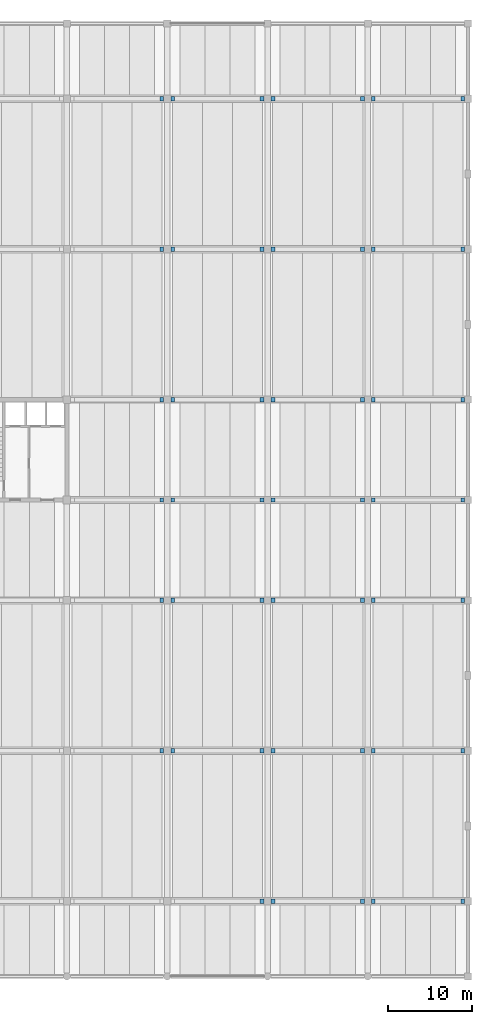
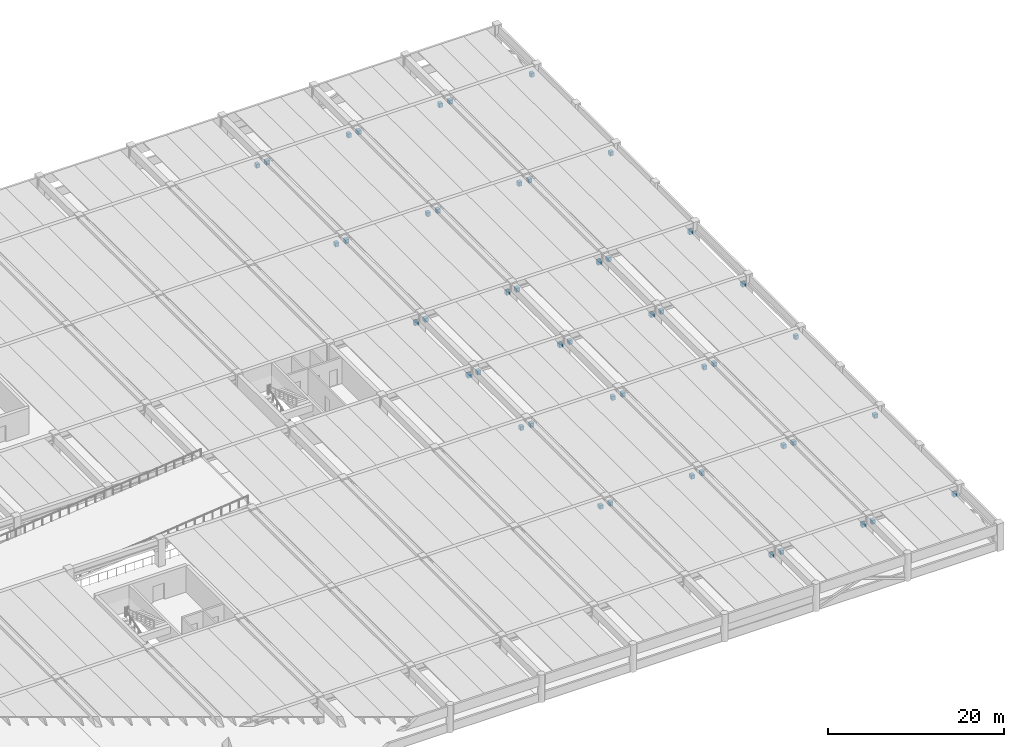
# One storey, part 14 of 19: 47 discrete accessories.
"""IFC4 building model written with IfcOpenShell, lengths in metres."""

from ifc_helpers import new_model, si_unit, direction, frame, origin, origin_2d, place, context, subcontext, project, spatial, rectangle, extrude, material, type_object, element, save


model = new_model("IFC4")

# Units and contexts
model_context = context("Model", 3, precision=1e-05, world=origin(), true_north=direction((0.0, 1.0)))
body_context = subcontext(model_context, "Body", "Model", "MODEL_VIEW")
ifc_project = project(units=[si_unit("LENGTHUNIT", "METRE"), si_unit("AREAUNIT", "SQUARE_METRE"), si_unit("VOLUMEUNIT", "CUBIC_METRE"), si_unit("PLANEANGLEUNIT", "RADIAN"), si_unit("MASSUNIT", "GRAM", prefix="KILO")], contexts=[model_context])

# Site, building, storey
site_placement = place(None, origin())
site = spatial("IfcSite", under=ifc_project, at=site_placement, CompositionType="ELEMENT")
building_placement = place(site_placement, origin())
building = spatial("IfcBuilding", under=site, at=building_placement, Name="Girod Span Mobility Hub", CompositionType="ELEMENT")
storey_placement = place(building_placement, frame((0.0, 0.0, 13.39990234375)))
storey = spatial("IfcBuildingStorey", under=building, at=storey_placement, Name="L03", CompositionType="ELEMENT", Elevation=13.39990234375)

# Discrete accessories
ifc_material = material(Name="Concrete C40/50", Category="concrete")
discrete_accessory_type = type_object("IfcDiscreteAccessoryType", Name="ACC-CORBEL-550", PredefinedType="BRACKET", material=ifc_material)
for number, where, z_axis, x_axis, name in (
    (1, (143.35205078125, 9.0, 2.1171875), (0.0, 0.0, 1.0), (1.0, 0.0, 0.0), "Precast Corbel 12/B-R L03"),
    (2, (144.64794921875, 9.0, 2.1171875), (0.0, 0.0, 1.0), (1.0, 0.0, 0.0), "Precast Corbel 13/B-L L03"),
    (3, (155.35205078125, 9.0, 2.1171875), (0.0, 0.0, 1.0), (1.0, 0.0, 0.0), "Precast Corbel 13/B-R L03"),
    (4, (156.64794921875, 9.0, 2.1171875), (0.0, 0.0, 1.0), (1.0, 0.0, 0.0), "Precast Corbel 14/B-L L03"),
    (5, (167.35205078125, 9.0, 2.1171875), (0.0, 0.0, 1.0), (1.0, 0.0, 0.0), "Precast Corbel 14/B-R L03"),
    (6, (131.35205078125, 27.0, 2.1171875), (0.0, 0.0, 1.0), (1.0, 0.0, 0.0), "Precast Corbel 11/C-R L03"),
    (7, (132.64794921875, 27.0, 2.1171875), (0.0, 0.0, 1.0), (1.0, 0.0, 0.0), "Precast Corbel 12/C-L L03"),
    (8, (143.35205078125, 27.0, 2.1171875), (0.0, 0.0, 1.0), (1.0, 0.0, 0.0), "Precast Corbel 12/C-R L03"),
    (9, (144.64794921875, 27.0, 2.1171875), (0.0, 0.0, 1.0), (1.0, 0.0, 0.0), "Precast Corbel 13/C-L L03"),
    (10, (155.35205078125, 27.0, 2.1171875), (0.0, 0.0, 1.0), (1.0, 0.0, 0.0), "Precast Corbel 13/C-R L03"),
    (11, (156.64794921875, 27.0, 2.1171875), (0.0, 0.0, 1.0), (1.0, 0.0, 0.0), "Precast Corbel 14/C-L L03"),
    (12, (167.35205078125, 27.0, 2.1171875), (0.0, 0.0, 1.0), (1.0, 0.0, 0.0), "Precast Corbel 14/C-R L03"),
    (13, (131.35205078125, 45.0, 2.1171875), (0.0, 0.0, 1.0), (1.0, 0.0, 0.0), "Precast Corbel 11/D-R L03"),
    (14, (132.64794921875, 45.0, 2.1171875), (0.0, 0.0, 1.0), (1.0, 0.0, 0.0), "Precast Corbel 12/D-L L03"),
    (15, (143.35205078125, 45.0, 2.1171875), (0.0, 0.0, 1.0), (1.0, 0.0, 0.0), "Precast Corbel 12/D-R L03"),
    (16, (144.64794921875, 45.0, 2.1171875), (0.0, 0.0, 1.0), (1.0, 0.0, 0.0), "Precast Corbel 13/D-L L03"),
    (17, (155.35205078125, 45.0, 2.1171875), (0.0, 0.0, 1.0), (1.0, 0.0, 0.0), "Precast Corbel 13/D-R L03"),
    (18, (156.64794921875, 45.0, 2.1171875), (0.0, 0.0, 1.0), (1.0, 0.0, 0.0), "Precast Corbel 14/D-L L03"),
    (19, (167.35205078125, 45.0, 2.1171875), (0.0, 0.0, 1.0), (1.0, 0.0, 0.0), "Precast Corbel 14/D-R L03"),
    (20, (131.35205078125, 57.0, 2.1171875), (0.0, 0.0, 1.0), (1.0, 0.0, 0.0), "Precast Corbel 11/E-R L03"),
    (21, (132.64794921875, 57.0, 2.1171875), (0.0, 0.0, 1.0), (1.0, 0.0, 0.0), "Precast Corbel 12/E-L L03"),
    (22, (143.35205078125, 57.0, 2.1171875), (0.0, 0.0, 1.0), (1.0, 0.0, 0.0), "Precast Corbel 12/E-R L03"),
    (23, (144.64794921875, 57.0, 2.1171875), (0.0, 0.0, 1.0), (1.0, 0.0, 0.0), "Precast Corbel 13/E-L L03"),
    (24, (155.35205078125, 57.0, 2.1171875), (0.0, 0.0, 1.0), (1.0, 0.0, 0.0), "Precast Corbel 13/E-R L03"),
    (25, (156.64794921875, 57.0, 2.1171875), (0.0, 0.0, 1.0), (1.0, 0.0, 0.0), "Precast Corbel 14/E-L L03"),
    (26, (167.35205078125, 57.0, 2.1171875), (0.0, 0.0, 1.0), (1.0, 0.0, 0.0), "Precast Corbel 14/E-R L03"),
    (27, (131.35205078125, 69.0, 2.1171875), (0.0, 0.0, 1.0), (1.0, 0.0, 0.0), "Precast Corbel 11/F-R L03"),
    (28, (132.64794921875, 69.0, 2.1171875), (0.0, 0.0, 1.0), (1.0, 0.0, 0.0), "Precast Corbel 12/F-L L03"),
    (29, (143.35205078125, 69.0, 2.1171875), (0.0, 0.0, 1.0), (1.0, 0.0, 0.0), "Precast Corbel 12/F-R L03"),
    (30, (144.64794921875, 69.0, 2.1171875), (0.0, 0.0, 1.0), (1.0, 0.0, 0.0), "Precast Corbel 13/F-L L03"),
    (31, (155.35205078125, 69.0, 2.1171875), (0.0, 0.0, 1.0), (1.0, 0.0, 0.0), "Precast Corbel 13/F-R L03"),
    (32, (156.64794921875, 69.0, 2.1171875), (0.0, 0.0, 1.0), (1.0, 0.0, 0.0), "Precast Corbel 14/F-L L03"),
    (33, (167.35205078125, 69.0, 2.1171875), (0.0, 0.0, 1.0), (1.0, 0.0, 0.0), "Precast Corbel 14/F-R L03"),
    (34, (131.35205078125, 87.0, 2.1171875), (0.0, 0.0, 1.0), (1.0, 0.0, 0.0), "Precast Corbel 11/G-R L03"),
    (35, (132.64794921875, 87.0, 2.1171875), (0.0, 0.0, 1.0), (1.0, 0.0, 0.0), "Precast Corbel 12/G-L L03"),
    (36, (143.35205078125, 87.0, 2.1171875), (0.0, 0.0, 1.0), (1.0, 0.0, 0.0), "Precast Corbel 12/G-R L03"),
    (37, (144.64794921875, 87.0, 2.1171875), (0.0, 0.0, 1.0), (1.0, 0.0, 0.0), "Precast Corbel 13/G-L L03"),
    (38, (155.35205078125, 87.0, 2.1171875), (0.0, 0.0, 1.0), (1.0, 0.0, 0.0), "Precast Corbel 13/G-R L03"),
    (39, (156.64794921875, 87.0, 2.1171875), (0.0, 0.0, 1.0), (1.0, 0.0, 0.0), "Precast Corbel 14/G-L L03"),
    (40, (167.35205078125, 87.0, 2.1171875), (0.0, 0.0, 1.0), (1.0, 0.0, 0.0), "Precast Corbel 14/G-R L03"),
    (41, (131.35205078125, 105.0, 2.1171875), (0.0, 0.0, 1.0), (1.0, 0.0, 0.0), "Precast Corbel 11/H-R L03"),
    (42, (132.64794921875, 105.0, 2.1171875), (0.0, 0.0, 1.0), (1.0, 0.0, 0.0), "Precast Corbel 12/H-L L03"),
    (43, (143.35205078125, 105.0, 2.1171875), (0.0, 0.0, 1.0), (1.0, 0.0, 0.0), "Precast Corbel 12/H-R L03"),
    (44, (144.64794921875, 105.0, 2.1171875), (0.0, 0.0, 1.0), (1.0, 0.0, 0.0), "Precast Corbel 13/H-L L03"),
    (45, (155.35205078125, 105.0, 2.1171875), (0.0, 0.0, 1.0), (1.0, 0.0, 0.0), "Precast Corbel 13/H-R L03"),
    (46, (156.64794921875, 105.0, 2.1171875), (0.0, 0.0, 1.0), (1.0, 0.0, 0.0), "Precast Corbel 14/H-L L03"),
    (47, (167.35205078125, 105.0, 2.1171875), (0.0, 0.0, 1.0), (1.0, 0.0, 0.0), "Precast Corbel 14/H-R L03"),
):
    element("IfcDiscreteAccessory", number, at=place(storey_placement, frame(where, z_axis=z_axis, x_axis=x_axis)), inside=storey, type_object=discrete_accessory_type, Name=name, PredefinedType="BRACKET", context=body_context, shape_type="SweptSolid", body=[
        extrude(rectangle(XDim=0.449951171875, YDim=0.5, at=origin_2d()), origin(), (0.0, 0.0, 1.0), 0.550048828125),
    ])

save(model, "model.ifc")
